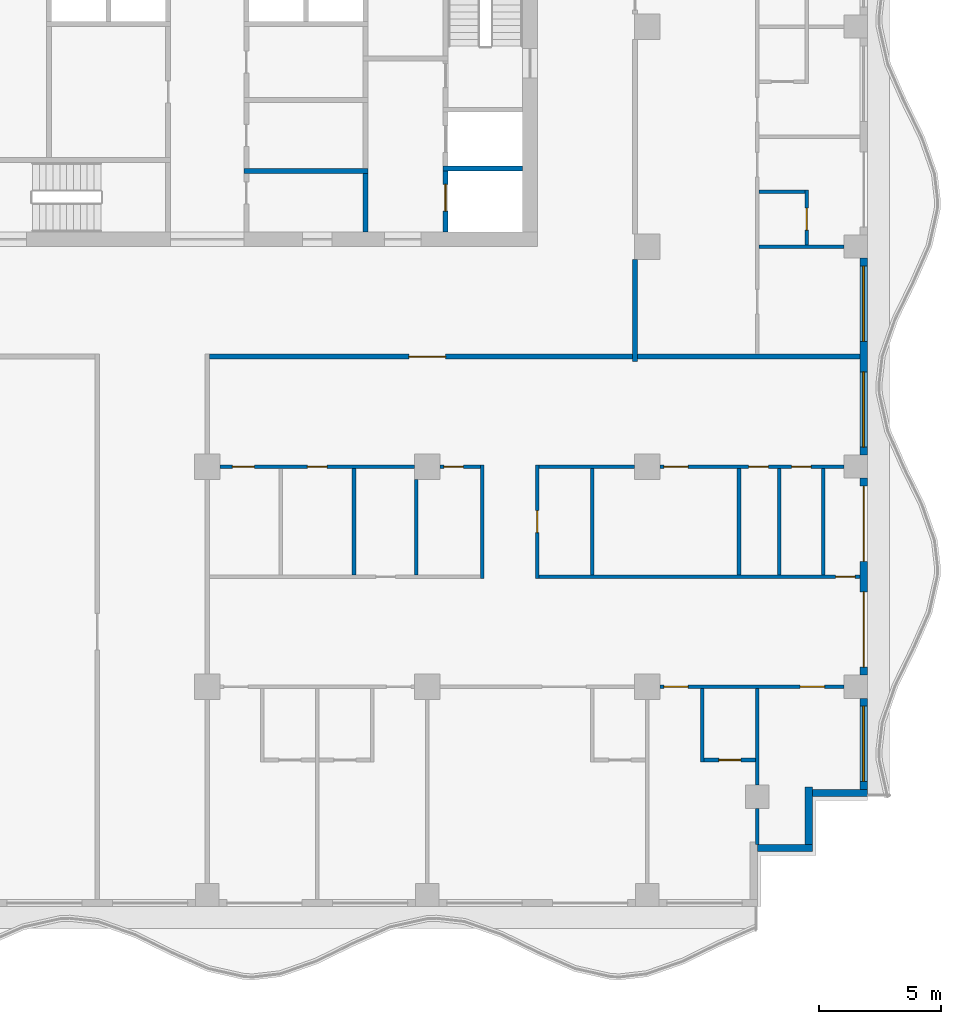
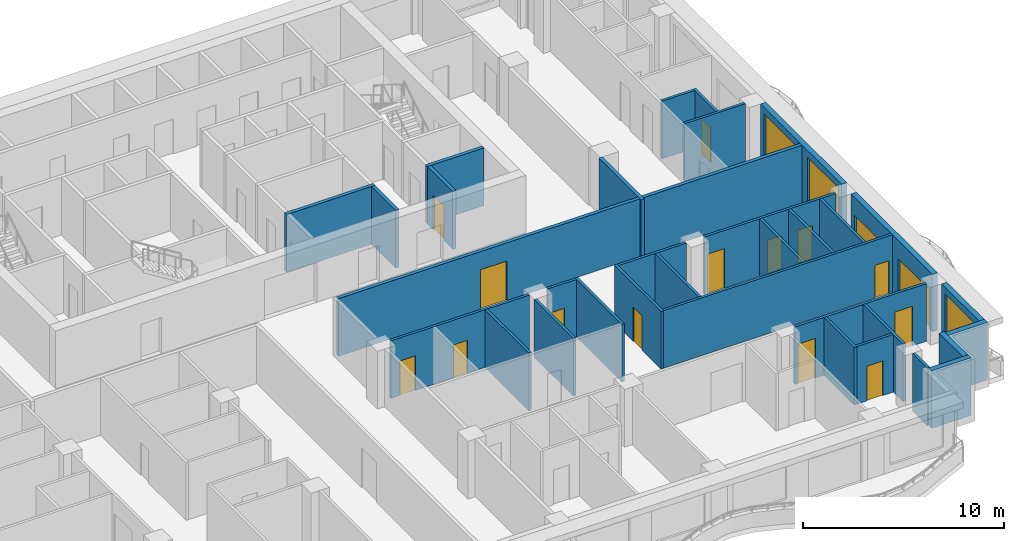
# One storey, part 4 of 11: 34 walls, 16 doors, 3 windows, 19 openings.
"""IFC4 building model written with IfcOpenShell, lengths in metres."""

from ifc_helpers import new_model, si_unit, direction, frame, frame_2d, origin, place, context, subcontext, project, spatial, rectangle, extrude, material, layer, layer_set, type_object, element, fill, save


model = new_model("IFC4")

# Units and contexts
model_context = context("Model", 3, precision=1e-05, world=origin(), true_north=direction((0.0, 1.0)))
body_context = subcontext(model_context, "Body", "Model", "MODEL_VIEW")
ifc_project = project(units=[si_unit("LENGTHUNIT", "METRE"), si_unit("AREAUNIT", "SQUARE_METRE"), si_unit("VOLUMEUNIT", "CUBIC_METRE"), si_unit("PLANEANGLEUNIT", "RADIAN"), si_unit("MASSUNIT", "GRAM", prefix="KILO")], contexts=[model_context])

# Site, building, storey
site_placement = place(None, origin())
site = spatial("IfcSite", under=ifc_project, at=site_placement, CompositionType="ELEMENT")
building_placement = place(site_placement, origin())
building = spatial("IfcBuilding", under=site, at=building_placement, Name="Orbiselva Terraces", CompositionType="ELEMENT")
storey_placement = place(building_placement, frame((0.0, 0.0, 230.0)))
storey = spatial("IfcBuildingStorey", under=building, at=storey_placement, Name="L58", CompositionType="ELEMENT", Elevation=230.0)

# Walls
ifc_material_1 = material(Name="Concrete C60/75", Category="concrete")
ifc_layer_1 = layer(ifc_material_1, 0.2)
ifc_layer_set_1 = layer_set([ifc_layer_1], Name="Concrete C60/75")
wall_type_1 = type_object("IfcWallType", Name="CORE-WALL-SHEAR-200", PredefinedType="SHEAR", material=ifc_layer_set_1)
wall_1_placement = place(storey_placement, frame((1.5, 7.6, 0.0), z_axis=(0.0, 0.0, 1.0), x_axis=(1.0, 0.0, 0.0)))
element("IfcWall", 1, at=wall_1_placement, inside=storey, type_object=wall_type_1, Name="L58 core wall 23", PredefinedType="SHEAR", context=body_context, shape_type="SweptSolid", body=[
    extrude(rectangle(XDim=5.075, YDim=0.2, at=frame_2d((2.5375, 0.0))), origin(), (0.0, 0.0, 1.0), 3.5),
])
wall_2_placement = place(storey_placement, frame((6.475, 5.1, 0.0), z_axis=(0.0, 0.0, 1.0), x_axis=(0.0, 1.0, 0.0)))
element("IfcWall", 2, at=wall_2_placement, inside=storey, type_object=wall_type_1, Name="L58 core wall 33", PredefinedType="SHEAR", context=body_context, shape_type="SweptSolid", body=[
    extrude(rectangle(XDim=2.4, YDim=0.2, at=frame_2d((1.2, 0.0))), origin(), (0.0, 0.0, 1.0), 3.5),
])

# Wall, opening, door
wall_3_placement = place(storey_placement, frame((9.75, 5.1, 0.0), z_axis=(0.0, 0.0, 1.0), x_axis=(0.0, 1.0, 0.0)))
wall_3 = element("IfcWall", 3, at=wall_3_placement, inside=storey, type_object=wall_type_1, Name="L58 core wall 40", PredefinedType="SHEAR", context=body_context, shape_type="SweptSolid", body=[
    extrude(rectangle(XDim=2.5, YDim=0.2, at=frame_2d((1.25, 0.0))), origin(), (0.0, 0.0, 1.0), 3.5),
])
opening_1_placement = place(wall_3_placement, frame((0.85, 0.0, 0.0)))
opening_1 = element("IfcOpeningElement", 4, at=opening_1_placement, cuts=wall_3, Name="Opening LD-FF1", PredefinedType="OPENING", context=body_context, shape_type="SweptSolid", body=[
    extrude(rectangle(XDim=1.1, YDim=2.1, at=frame_2d((0.55, 1.05))), frame((0.0, 0.11, 0.0), z_axis=(0.0, -1.0, 0.0), x_axis=(1.0, 0.0, 0.0)), (0.0, 0.0, 1.0), 0.22),
])
ifc_material_2 = material(Name="Stainless steel landing door", Category="steel")
door_type_1 = type_object("IfcDoorType", Name="LANDING DOOR 1100", OperationType="SLIDING_TO_LEFT", PredefinedType="DOOR", material=ifc_material_2)
door_1_placement = place(opening_1_placement, origin())
door_1 = element("IfcDoor", 5, at=door_1_placement, inside=storey, type_object=door_type_1, Name="L58 landing door FF1", OperationType="SLIDING_TO_RIGHT", OverallHeight=2.1, OverallWidth=1.1, PredefinedType="DOOR", context=body_context, shape_type="SweptSolid", body=[
    extrude(rectangle(XDim=1.1, YDim=2.1, at=frame_2d((0.55, 1.05))), frame((0.0, 0.025, 0.0), z_axis=(0.0, -1.0, 0.0), x_axis=(1.0, 0.0, 0.0)), (0.0, 0.0, 1.0), 0.05),
])
fill(opening_1, door_1)

# Walls
wall_4_placement = place(storey_placement, frame((9.65, 7.7, 0.0), z_axis=(0.0, 0.0, 1.0), x_axis=(1.0, 0.0, 0.0)))
element("IfcWall", 6, at=wall_4_placement, inside=storey, type_object=wall_type_1, Name="L58 core wall 41", PredefinedType="SHEAR", context=body_context, shape_type="SweptSolid", body=[
    extrude(rectangle(XDim=3.25, YDim=0.2, at=frame_2d((1.625, 0.0))), origin(), (0.0, 0.0, 1.0), 3.5),
])
ifc_material_3 = material(Name="Terracotta cladding on masonry backing", Category="masonry")
ifc_layer_2 = layer(ifc_material_3, 0.3)
ifc_layer_set_2 = layer_set([ifc_layer_2], Name="Terracotta cladding on masonry backing")
wall_type_2 = type_object("IfcWallType", Name="ENV-WALL-TERRACOTTA-300", PredefinedType="SOLIDWALL", material=ifc_layer_set_2)
wall_5_placement = place(storey_placement, frame((24.75, -20.1, 0.0), z_axis=(0.0, 0.0, 1.0), x_axis=(-1.0, 0.0, 0.0)))
element("IfcWall", 7, at=wall_5_placement, inside=storey, type_object=wall_type_2, Name="Facade wall L58 STEP", PredefinedType="SOLIDWALL", context=body_context, shape_type="SweptSolid", body=[
    extrude(rectangle(XDim=2.25, YDim=0.3, at=frame_2d((1.125, 0.0))), origin(), (0.0, 0.0, 1.0), 3.5),
])
wall_6_placement = place(storey_placement, frame((24.6, -17.6, 0.0), z_axis=(0.0, 0.0, 1.0), x_axis=(0.0, -1.0, 0.0)))
element("IfcWall", 8, at=wall_6_placement, inside=storey, type_object=wall_type_2, Name="Facade wall L58 STEP", PredefinedType="SOLIDWALL", context=body_context, shape_type="SweptSolid", body=[
    extrude(rectangle(XDim=2.35, YDim=0.3, at=frame_2d((1.175, 0.0))), origin(), (0.0, 0.0, 1.0), 3.5),
])
wall_7_placement = place(storey_placement, frame((27.0, -17.85, 0.0), z_axis=(0.0, 0.0, 1.0), x_axis=(-1.0, 0.0, 0.0)))
element("IfcWall", 9, at=wall_7_placement, inside=storey, type_object=wall_type_2, Name="Facade wall L58 STEP", PredefinedType="SOLIDWALL", context=body_context, shape_type="SweptSolid", body=[
    extrude(rectangle(XDim=2.25, YDim=0.3, at=frame_2d((1.125, 0.0))), origin(), (0.0, 0.0, 1.0), 3.5),
])

# Wall, opening, window
wall_8_placement = place(storey_placement, frame((26.85, -13.975, 0.0), z_axis=(0.0, 0.0, 1.0), x_axis=(0.0, -1.0, 0.0)))
wall_8 = element("IfcWall", 10, at=wall_8_placement, inside=storey, type_object=wall_type_2, Name="Facade wall L58 E", PredefinedType="SOLIDWALL", context=body_context, shape_type="SweptSolid", body=[
    extrude(rectangle(XDim=3.725, YDim=0.3, at=frame_2d((1.8625, 0.0))), origin(), (0.0, 0.0, 1.0), 3.5),
])
opening_2_placement = place(wall_8_placement, frame((0.325, 0.0, 0.45)))
opening_2 = element("IfcOpeningElement", 11, at=opening_2_placement, cuts=wall_8, Name="Opening WN15", PredefinedType="OPENING", context=body_context, shape_type="SweptSolid", body=[
    extrude(rectangle(XDim=3.075, YDim=2.65, at=frame_2d((1.5375, 1.325))), frame((0.0, 0.16, 0.0), z_axis=(0.0, -1.0, 0.0), x_axis=(1.0, 0.0, 0.0)), (0.0, 0.0, 1.0), 0.32),
])
ifc_material_4 = material(Name="Clear low-e glazing in aluminium frame", Category="aluminium")
window_type = type_object("IfcWindowType", Name="WINDOW 3075 X 2650 S450", PartitioningType="TRIPLE_PANEL_VERTICAL", PredefinedType="WINDOW", material=ifc_material_4)
window_1_placement = place(opening_2_placement, origin())
window_1 = element("IfcWindow", 12, at=window_1_placement, inside=storey, type_object=window_type, Name="Window L58 E", OverallHeight=2.65, OverallWidth=3.075, PartitioningType="SINGLE_PANEL", PredefinedType="WINDOW", context=body_context, shape_type="SweptSolid", body=[
    extrude(rectangle(XDim=3.075, YDim=2.65, at=frame_2d((1.5375, 1.325))), frame((0.0, 0.03, 0.0), z_axis=(0.0, -1.0, 0.0), x_axis=(1.0, 0.0, 0.0)), (0.0, 0.0, 1.0), 0.06),
])
fill(opening_2, window_1)

# Wall, openings, doors
wall_9_placement = place(storey_placement, frame((26.85, -4.975, 0.0), z_axis=(0.0, 0.0, 1.0), x_axis=(0.0, -1.0, 0.0)))
wall_9 = element("IfcWall", 13, at=wall_9_placement, inside=storey, type_object=wall_type_2, Name="Facade wall L58 E", PredefinedType="SOLIDWALL", context=body_context, shape_type="SweptSolid", body=[
    extrude(rectangle(XDim=8.05, YDim=0.3, at=frame_2d((4.025, 0.0))), origin(), (0.0, 0.0, 1.0), 3.5),
])
opening_3_placement = place(wall_9_placement, frame((4.65, 0.0, 0.0)))
opening_3 = element("IfcOpeningElement", 14, at=opening_3_placement, cuts=wall_9, Name="Opening Z4-E-E12", PredefinedType="OPENING", context=body_context, shape_type="SweptSolid", body=[
    extrude(rectangle(XDim=3.075, YDim=2.4, at=frame_2d((1.5375, 1.2))), frame((0.0, 0.16, 0.0), z_axis=(0.0, -1.0, 0.0), x_axis=(1.0, 0.0, 0.0)), (0.0, 0.0, 1.0), 0.32),
])
opening_4_placement = place(wall_9_placement, frame((0.325, 0.0, 0.0)))
opening_4 = element("IfcOpeningElement", 15, at=opening_4_placement, cuts=wall_9, Name="Opening Z4-E-E04", PredefinedType="OPENING", context=body_context, shape_type="SweptSolid", body=[
    extrude(rectangle(XDim=3.075, YDim=2.4, at=frame_2d((1.5375, 1.2))), frame((0.0, 0.16, 0.0), z_axis=(0.0, -1.0, 0.0), x_axis=(1.0, 0.0, 0.0)), (0.0, 0.0, 1.0), 0.32),
])
door_type_2 = type_object("IfcDoorType", Name="BALCONY DOOR 3075 X 2400", OperationType="DOUBLE_DOOR_SLIDING", PredefinedType="DOOR", material=ifc_material_4)
door_2_placement = place(opening_3_placement, origin())
door_2 = element("IfcDoor", 16, at=door_2_placement, inside=storey, type_object=door_type_2, Name="Z4-E-E12", OperationType="SINGLE_SWING_LEFT", OverallHeight=2.4, OverallWidth=3.075, PredefinedType="DOOR", context=body_context, shape_type="SweptSolid", body=[
    extrude(rectangle(XDim=3.075, YDim=2.4, at=frame_2d((1.5375, 1.2))), frame((0.0, 0.025, 0.0), z_axis=(0.0, -1.0, 0.0), x_axis=(1.0, 0.0, 0.0)), (0.0, 0.0, 1.0), 0.05),
])
fill(opening_3, door_2)
door_3_placement = place(opening_4_placement, origin())
door_3 = element("IfcDoor", 17, at=door_3_placement, inside=storey, type_object=door_type_2, Name="Z4-E-E04", OperationType="SINGLE_SWING_LEFT", OverallHeight=2.4, OverallWidth=3.075, PredefinedType="DOOR", context=body_context, shape_type="SweptSolid", body=[
    extrude(rectangle(XDim=3.075, YDim=2.4, at=frame_2d((1.5375, 1.2))), frame((0.0, 0.025, 0.0), z_axis=(0.0, -1.0, 0.0), x_axis=(1.0, 0.0, 0.0)), (0.0, 0.0, 1.0), 0.05),
])
fill(opening_4, door_3)

# Wall, openings, windows
wall_10_placement = place(storey_placement, frame((26.85, 4.025, 0.0), z_axis=(0.0, 0.0, 1.0), x_axis=(0.0, -1.0, 0.0)))
wall_10 = element("IfcWall", 18, at=wall_10_placement, inside=storey, type_object=wall_type_2, Name="Facade wall L58 E", PredefinedType="SOLIDWALL", context=body_context, shape_type="SweptSolid", body=[
    extrude(rectangle(XDim=8.05, YDim=0.3, at=frame_2d((4.025, 0.0))), origin(), (0.0, 0.0, 1.0), 3.5),
])
opening_5_placement = place(wall_10_placement, frame((4.65, 0.0, 0.45)))
opening_5 = element("IfcOpeningElement", 19, at=opening_5_placement, cuts=wall_10, Name="Opening WN15", PredefinedType="OPENING", context=body_context, shape_type="SweptSolid", body=[
    extrude(rectangle(XDim=3.075, YDim=2.65, at=frame_2d((1.5375, 1.325))), frame((0.0, 0.16, 0.0), z_axis=(0.0, -1.0, 0.0), x_axis=(1.0, 0.0, 0.0)), (0.0, 0.0, 1.0), 0.32),
])
opening_6_placement = place(wall_10_placement, frame((0.325, 0.0, 0.45)))
opening_6 = element("IfcOpeningElement", 20, at=opening_6_placement, cuts=wall_10, Name="Opening WN15", PredefinedType="OPENING", context=body_context, shape_type="SweptSolid", body=[
    extrude(rectangle(XDim=3.075, YDim=2.65, at=frame_2d((1.5375, 1.325))), frame((0.0, 0.16, 0.0), z_axis=(0.0, -1.0, 0.0), x_axis=(1.0, 0.0, 0.0)), (0.0, 0.0, 1.0), 0.32),
])
window_2_placement = place(opening_5_placement, origin())
window_2 = element("IfcWindow", 21, at=window_2_placement, inside=storey, type_object=window_type, Name="Window L58 E", OverallHeight=2.65, OverallWidth=3.075, PartitioningType="SINGLE_PANEL", PredefinedType="WINDOW", context=body_context, shape_type="SweptSolid", body=[
    extrude(rectangle(XDim=3.075, YDim=2.65, at=frame_2d((1.5375, 1.325))), frame((0.0, 0.03, 0.0), z_axis=(0.0, -1.0, 0.0), x_axis=(1.0, 0.0, 0.0)), (0.0, 0.0, 1.0), 0.06),
])
fill(opening_5, window_2)
window_3_placement = place(opening_6_placement, origin())
window_3 = element("IfcWindow", 22, at=window_3_placement, inside=storey, type_object=window_type, Name="Window L58 E", OverallHeight=2.65, OverallWidth=3.075, PartitioningType="SINGLE_PANEL", PredefinedType="WINDOW", context=body_context, shape_type="SweptSolid", body=[
    extrude(rectangle(XDim=3.075, YDim=2.65, at=frame_2d((1.5375, 1.325))), frame((0.0, 0.03, 0.0), z_axis=(0.0, -1.0, 0.0), x_axis=(1.0, 0.0, 0.0)), (0.0, 0.0, 1.0), 0.06),
])
fill(opening_6, window_3)

# Wall, opening, door
ifc_material_5 = material(Name="Plasterboard on steel stud partition", Category="steel")
ifc_layer_3 = layer(ifc_material_5, 0.2)
ifc_layer_set_3 = layer_set([ifc_layer_3], Name="Plasterboard on steel stud partition")
wall_type_3 = type_object("IfcWallType", Name="UNIT-ENTRANCE-WALL-200", PredefinedType="PARTITIONING", material=ifc_layer_set_3)
wall_11_placement = place(storey_placement, frame((17.4, 0.0, 0.0), z_axis=(0.0, 0.0, 1.0), x_axis=(-1.0, 0.0, 0.0)))
wall_11 = element("IfcWall", 23, at=wall_11_placement, inside=storey, type_object=wall_type_3, Name="PARTITION L58-029", PredefinedType="PARTITIONING", context=body_context, shape_type="SweptSolid", body=[
    extrude(rectangle(XDim=17.3, YDim=0.2, at=frame_2d((8.65, 0.0))), origin(), (0.0, 0.0, 1.0), 3.5),
])
opening_7_placement = place(wall_11_placement, frame((7.65, 0.0, 0.0)))
opening_7 = element("IfcOpeningElement", 24, at=opening_7_placement, cuts=wall_11, Name="Opening Z4-E-33", PredefinedType="OPENING", context=body_context, shape_type="SweptSolid", body=[
    extrude(rectangle(XDim=1.5, YDim=2.4, at=frame_2d((0.75, 1.2))), frame((0.0, 0.11, 0.0), z_axis=(0.0, -1.0, 0.0), x_axis=(1.0, 0.0, 0.0)), (0.0, 0.0, 1.0), 0.22),
])
ifc_material_6 = material(Name="Painted timber door leaf", Category="wood")
door_type_3 = type_object("IfcDoorType", Name="ENTRANCE DOUBLE DOOR 1500", OperationType="NOTDEFINED", PredefinedType="DOOR", material=ifc_material_6)
door_4_placement = place(opening_7_placement, origin())
door_4 = element("IfcDoor", 25, at=door_4_placement, inside=storey, type_object=door_type_3, Name="Z4-E-33", OperationType="DOUBLE_DOOR_SINGLE_SWING", OverallHeight=2.4, OverallWidth=1.5, PredefinedType="DOOR", context=body_context, shape_type="SweptSolid", body=[
    extrude(rectangle(XDim=1.5, YDim=2.4, at=frame_2d((0.75, 1.2))), frame((0.0, 0.025, 0.0), z_axis=(0.0, -1.0, 0.0), x_axis=(1.0, 0.0, 0.0)), (0.0, 0.0, 1.0), 0.05),
])
fill(opening_7, door_4)

# Wall
wall_12_placement = place(storey_placement, frame((17.5, -0.2, 0.0), z_axis=(0.0, 0.0, 1.0), x_axis=(0.0, 1.0, 0.0)))
element("IfcWall", 26, at=wall_12_placement, inside=storey, type_object=wall_type_3, Name="PARTITION L58-081", PredefinedType="PARTITIONING", context=body_context, shape_type="SweptSolid", body=[
    extrude(rectangle(XDim=4.175, YDim=0.2, at=frame_2d((2.0875, 0.0))), origin(), (0.0, 0.0, 1.0), 3.5),
])

# Wall, opening, door
ifc_layer_4 = layer(ifc_material_5, 0.15)
ifc_layer_set_4 = layer_set([ifc_layer_4], Name="Plasterboard on steel stud partition")
wall_type_4 = type_object("IfcWallType", Name="UNIT-PARTITION-150", PredefinedType="PARTITIONING", material=ifc_layer_set_4)
wall_13_placement = place(storey_placement, frame((20.325, -16.5, 0.0), z_axis=(0.0, 0.0, 1.0), x_axis=(1.0, 0.0, 0.0)))
wall_13 = element("IfcWall", 27, at=wall_13_placement, inside=storey, type_object=wall_type_4, Name="PARTITION L58-008", PredefinedType="PARTITIONING", context=body_context, shape_type="SweptSolid", body=[
    extrude(rectangle(XDim=2.1, YDim=0.15, at=frame_2d((1.05, 0.0))), origin(), (0.0, 0.0, 1.0), 3.5),
])
opening_8_placement = place(wall_13_placement, frame((0.6, 0.0, 0.0)))
opening_8 = element("IfcOpeningElement", 28, at=opening_8_placement, cuts=wall_13, Name="Opening Z4-E-45", PredefinedType="OPENING", context=body_context, shape_type="SweptSolid", body=[
    extrude(rectangle(XDim=0.9, YDim=2.1, at=frame_2d((0.45, 1.05))), frame((0.0, 0.085, 0.0), z_axis=(0.0, -1.0, 0.0), x_axis=(1.0, 0.0, 0.0)), (0.0, 0.0, 1.0), 0.17),
])
door_type_4 = type_object("IfcDoorType", Name="BATH DOOR 900", OperationType="NOTDEFINED", PredefinedType="DOOR", material=ifc_material_6)
door_5_placement = place(opening_8_placement, origin())
door_5 = element("IfcDoor", 29, at=door_5_placement, inside=storey, type_object=door_type_4, Name="Z4-E-45", OperationType="SINGLE_SWING_LEFT", OverallHeight=2.1, OverallWidth=0.9, PredefinedType="DOOR", context=body_context, shape_type="SweptSolid", body=[
    extrude(rectangle(XDim=0.9, YDim=2.1, at=frame_2d((0.45, 1.05))), frame((0.0, 0.025, 0.0), z_axis=(0.0, -1.0, 0.0), x_axis=(1.0, 0.0, 0.0)), (0.0, 0.0, 1.0), 0.05),
])
fill(opening_8, door_5)

# Wall, openings, doors
wall_14_placement = place(storey_placement, frame((26.05, -13.5, 0.0), z_axis=(0.0, 0.0, 1.0), x_axis=(-1.0, 0.0, 0.0)))
wall_14 = element("IfcWall", 30, at=wall_14_placement, inside=storey, type_object=wall_type_4, Name="PARTITION L58-012", PredefinedType="PARTITIONING", context=body_context, shape_type="SweptSolid", body=[
    extrude(rectangle(XDim=7.525, YDim=0.15, at=frame_2d((3.7625, 0.0))), origin(), (0.0, 0.0, 1.0), 3.5),
])
opening_9_placement = place(wall_14_placement, frame((0.8, 0.0, 0.0)))
opening_9 = element("IfcOpeningElement", 31, at=opening_9_placement, cuts=wall_14, Name="Opening Z4-E-43", PredefinedType="OPENING", context=body_context, shape_type="SweptSolid", body=[
    extrude(rectangle(XDim=1.0, YDim=2.4, at=frame_2d((0.5, 1.2))), frame((0.0, 0.085, 0.0), z_axis=(0.0, -1.0, 0.0), x_axis=(1.0, 0.0, 0.0)), (0.0, 0.0, 1.0), 0.17),
])
opening_10_placement = place(wall_14_placement, frame((6.375, 0.0, 0.0)))
opening_10 = element("IfcOpeningElement", 32, at=opening_10_placement, cuts=wall_14, Name="Opening Z4-E-44", PredefinedType="OPENING", context=body_context, shape_type="SweptSolid", body=[
    extrude(rectangle(XDim=1.0, YDim=2.4, at=frame_2d((0.5, 1.2))), frame((0.0, 0.085, 0.0), z_axis=(0.0, -1.0, 0.0), x_axis=(1.0, 0.0, 0.0)), (0.0, 0.0, 1.0), 0.17),
])
door_type_5 = type_object("IfcDoorType", Name="ROOM DOOR 1000", OperationType="NOTDEFINED", PredefinedType="DOOR", material=ifc_material_6)
door_6_placement = place(opening_9_placement, origin())
door_6 = element("IfcDoor", 33, at=door_6_placement, inside=storey, type_object=door_type_5, Name="Z4-E-43", OperationType="SINGLE_SWING_LEFT", OverallHeight=2.4, OverallWidth=1.0, PredefinedType="DOOR", context=body_context, shape_type="SweptSolid", body=[
    extrude(rectangle(XDim=1.0, YDim=2.4, at=frame_2d((0.5, 1.2))), frame((0.0, 0.025, 0.0), z_axis=(0.0, -1.0, 0.0), x_axis=(1.0, 0.0, 0.0)), (0.0, 0.0, 1.0), 0.05),
])
fill(opening_9, door_6)
door_7_placement = place(opening_10_placement, origin())
door_7 = element("IfcDoor", 34, at=door_7_placement, inside=storey, type_object=door_type_5, Name="Z4-E-44", OperationType="SINGLE_SWING_RIGHT", OverallHeight=2.4, OverallWidth=1.0, PredefinedType="DOOR", context=body_context, shape_type="SweptSolid", body=[
    extrude(rectangle(XDim=1.0, YDim=2.4, at=frame_2d((0.5, 1.2))), frame((0.0, 0.025, 0.0), z_axis=(0.0, -1.0, 0.0), x_axis=(1.0, 0.0, 0.0)), (0.0, 0.0, 1.0), 0.05),
])
fill(opening_10, door_7)

# Wall, opening, door
wall_15_placement = place(storey_placement, frame((13.575, -9.0, 0.0), z_axis=(0.0, 0.0, 1.0), x_axis=(1.0, 0.0, 0.0)))
wall_15 = element("IfcWall", 35, at=wall_15_placement, inside=storey, type_object=wall_type_4, Name="PARTITION L58-017", PredefinedType="PARTITIONING", context=body_context, shape_type="SweptSolid", body=[
    extrude(rectangle(XDim=13.125, YDim=0.15, at=frame_2d((6.5625, 0.0))), origin(), (0.0, 0.0, 1.0), 3.5),
])
opening_11_placement = place(wall_15_placement, frame((12.125, 0.0, 0.0)))
opening_11 = element("IfcOpeningElement", 36, at=opening_11_placement, cuts=wall_15, Name="Opening Z4-E-34", PredefinedType="OPENING", context=body_context, shape_type="SweptSolid", body=[
    extrude(rectangle(XDim=0.8, YDim=2.0, at=frame_2d((0.4, 1.0))), frame((0.0, 0.085, 0.0), z_axis=(0.0, -1.0, 0.0), x_axis=(1.0, 0.0, 0.0)), (0.0, 0.0, 1.0), 0.17),
])
door_type_6 = type_object("IfcDoorType", Name="STORE DOOR 800", OperationType="NOTDEFINED", PredefinedType="DOOR", material=ifc_material_6)
door_8_placement = place(opening_11_placement, origin())
door_8 = element("IfcDoor", 37, at=door_8_placement, inside=storey, type_object=door_type_6, Name="Z4-E-34", OperationType="SINGLE_SWING_RIGHT", OverallHeight=2.0, OverallWidth=0.8, PredefinedType="DOOR", context=body_context, shape_type="SweptSolid", body=[
    extrude(rectangle(XDim=0.8, YDim=2.0, at=frame_2d((0.4, 1.0))), frame((0.0, 0.025, 0.0), z_axis=(0.0, -1.0, 0.0), x_axis=(1.0, 0.0, 0.0)), (0.0, 0.0, 1.0), 0.05),
])
fill(opening_11, door_8)

# Wall, openings, doors
wall_16_placement = place(storey_placement, frame((8.475, -4.5, 0.0), z_axis=(0.0, 0.0, 1.0), x_axis=(-1.0, 0.0, 0.0)))
wall_16 = element("IfcWall", 38, at=wall_16_placement, inside=storey, type_object=wall_type_4, Name="PARTITION L58-022", PredefinedType="PARTITIONING", context=body_context, shape_type="SweptSolid", body=[
    extrude(rectangle(XDim=7.95, YDim=0.15, at=frame_2d((3.975, 0.0))), origin(), (0.0, 0.0, 1.0), 3.5),
])
opening_12_placement = place(wall_16_placement, frame((3.575, 0.0, 0.0)))
opening_12 = element("IfcOpeningElement", 39, at=opening_12_placement, cuts=wall_16, Name="Opening Z4-E-41", PredefinedType="OPENING", context=body_context, shape_type="SweptSolid", body=[
    extrude(rectangle(XDim=0.8, YDim=2.0, at=frame_2d((0.4, 1.0))), frame((0.0, 0.085, 0.0), z_axis=(0.0, -1.0, 0.0), x_axis=(1.0, 0.0, 0.0)), (0.0, 0.0, 1.0), 0.17),
])
opening_13_placement = place(wall_16_placement, frame((6.55, 0.0, 0.0)))
opening_13 = element("IfcOpeningElement", 40, at=opening_13_placement, cuts=wall_16, Name="Opening Z4-E-42", PredefinedType="OPENING", context=body_context, shape_type="SweptSolid", body=[
    extrude(rectangle(XDim=0.9, YDim=2.1, at=frame_2d((0.45, 1.05))), frame((0.0, 0.085, 0.0), z_axis=(0.0, -1.0, 0.0), x_axis=(1.0, 0.0, 0.0)), (0.0, 0.0, 1.0), 0.17),
])
door_type_7 = type_object("IfcDoorType", Name="SERVICE DOOR 900", OperationType="NOTDEFINED", PredefinedType="DOOR", material=ifc_material_6)
door_9_placement = place(opening_13_placement, origin())
door_9 = element("IfcDoor", 41, at=door_9_placement, inside=storey, type_object=door_type_7, Name="Z4-E-42", OperationType="SINGLE_SWING_RIGHT", OverallHeight=2.1, OverallWidth=0.9, PredefinedType="DOOR", context=body_context, shape_type="SweptSolid", body=[
    extrude(rectangle(XDim=0.9, YDim=2.1, at=frame_2d((0.45, 1.05))), frame((0.0, 0.025, 0.0), z_axis=(0.0, -1.0, 0.0), x_axis=(1.0, 0.0, 0.0)), (0.0, 0.0, 1.0), 0.05),
])
fill(opening_13, door_9)
door_10_placement = place(opening_12_placement, origin())
door_10 = element("IfcDoor", 42, at=door_10_placement, inside=storey, type_object=door_type_6, Name="Z4-E-41", OperationType="SINGLE_SWING_LEFT", OverallHeight=2.0, OverallWidth=0.8, PredefinedType="DOOR", context=body_context, shape_type="SweptSolid", body=[
    extrude(rectangle(XDim=0.8, YDim=2.0, at=frame_2d((0.4, 1.0))), frame((0.0, 0.025, 0.0), z_axis=(0.0, -1.0, 0.0), x_axis=(1.0, 0.0, 0.0)), (0.0, 0.0, 1.0), 0.05),
])
fill(opening_12, door_10)

# Wall, opening, door
wall_17_placement = place(storey_placement, frame((11.175, -4.5, 0.0), z_axis=(0.0, 0.0, 1.0), x_axis=(-1.0, 0.0, 0.0)))
wall_17 = element("IfcWall", 43, at=wall_17_placement, inside=storey, type_object=wall_type_4, Name="PARTITION L58-023", PredefinedType="PARTITIONING", context=body_context, shape_type="SweptSolid", body=[
    extrude(rectangle(XDim=1.65, YDim=0.15, at=frame_2d((0.825, 0.0))), origin(), (0.0, 0.0, 1.0), 3.5),
])
opening_14_placement = place(wall_17_placement, frame((0.7, 0.0, 0.0)))
opening_14 = element("IfcOpeningElement", 44, at=opening_14_placement, cuts=wall_17, Name="Opening Z4-E-39", PredefinedType="OPENING", context=body_context, shape_type="SweptSolid", body=[
    extrude(rectangle(XDim=0.8, YDim=2.0, at=frame_2d((0.4, 1.0))), frame((0.0, 0.085, 0.0), z_axis=(0.0, -1.0, 0.0), x_axis=(1.0, 0.0, 0.0)), (0.0, 0.0, 1.0), 0.17),
])
door_11_placement = place(opening_14_placement, origin())
door_11 = element("IfcDoor", 45, at=door_11_placement, inside=storey, type_object=door_type_6, Name="Z4-E-39", OperationType="SINGLE_SWING_RIGHT", OverallHeight=2.0, OverallWidth=0.8, PredefinedType="DOOR", context=body_context, shape_type="SweptSolid", body=[
    extrude(rectangle(XDim=0.8, YDim=2.0, at=frame_2d((0.4, 1.0))), frame((0.0, 0.025, 0.0), z_axis=(0.0, -1.0, 0.0), x_axis=(1.0, 0.0, 0.0)), (0.0, 0.0, 1.0), 0.05),
])
fill(opening_14, door_11)

# Wall
wall_18_placement = place(storey_placement, frame((13.575, -4.5, 0.0), z_axis=(0.0, 0.0, 1.0), x_axis=(1.0, 0.0, 0.0)))
element("IfcWall", 46, at=wall_18_placement, inside=storey, type_object=wall_type_4, Name="PARTITION L58-024", PredefinedType="PARTITIONING", context=body_context, shape_type="SweptSolid", body=[
    extrude(rectangle(XDim=3.9, YDim=0.15, at=frame_2d((1.95, 0.0))), origin(), (0.0, 0.0, 1.0), 3.5),
])

# Wall, openings, doors
wall_19_placement = place(storey_placement, frame((26.05, -4.5, 0.0), z_axis=(0.0, 0.0, 1.0), x_axis=(-1.0, 0.0, 0.0)))
wall_19 = element("IfcWall", 47, at=wall_19_placement, inside=storey, type_object=wall_type_4, Name="PARTITION L58-025", PredefinedType="PARTITIONING", context=body_context, shape_type="SweptSolid", body=[
    extrude(rectangle(XDim=7.525, YDim=0.15, at=frame_2d((3.7625, 0.0))), origin(), (0.0, 0.0, 1.0), 3.5),
])
opening_15_placement = place(wall_19_placement, frame((1.35, 0.0, 0.0)))
opening_15 = element("IfcOpeningElement", 48, at=opening_15_placement, cuts=wall_19, Name="Opening Z4-E-35", PredefinedType="OPENING", context=body_context, shape_type="SweptSolid", body=[
    extrude(rectangle(XDim=0.8, YDim=2.0, at=frame_2d((0.4, 1.0))), frame((0.0, 0.085, 0.0), z_axis=(0.0, -1.0, 0.0), x_axis=(1.0, 0.0, 0.0)), (0.0, 0.0, 1.0), 0.17),
])
opening_16_placement = place(wall_19_placement, frame((3.1, 0.0, 0.0)))
opening_16 = element("IfcOpeningElement", 49, at=opening_16_placement, cuts=wall_19, Name="Opening Z4-E-36", PredefinedType="OPENING", context=body_context, shape_type="SweptSolid", body=[
    extrude(rectangle(XDim=0.8, YDim=2.0, at=frame_2d((0.4, 1.0))), frame((0.0, 0.085, 0.0), z_axis=(0.0, -1.0, 0.0), x_axis=(1.0, 0.0, 0.0)), (0.0, 0.0, 1.0), 0.17),
])
opening_17_placement = place(wall_19_placement, frame((6.375, 0.0, 0.0)))
opening_17 = element("IfcOpeningElement", 50, at=opening_17_placement, cuts=wall_19, Name="Opening Z4-E-37", PredefinedType="OPENING", context=body_context, shape_type="SweptSolid", body=[
    extrude(rectangle(XDim=1.0, YDim=2.4, at=frame_2d((0.5, 1.2))), frame((0.0, 0.085, 0.0), z_axis=(0.0, -1.0, 0.0), x_axis=(1.0, 0.0, 0.0)), (0.0, 0.0, 1.0), 0.17),
])
door_12_placement = place(opening_17_placement, origin())
door_12 = element("IfcDoor", 51, at=door_12_placement, inside=storey, type_object=door_type_5, Name="Z4-E-37", OperationType="SINGLE_SWING_RIGHT", OverallHeight=2.4, OverallWidth=1.0, PredefinedType="DOOR", context=body_context, shape_type="SweptSolid", body=[
    extrude(rectangle(XDim=1.0, YDim=2.4, at=frame_2d((0.5, 1.2))), frame((0.0, 0.025, 0.0), z_axis=(0.0, -1.0, 0.0), x_axis=(1.0, 0.0, 0.0)), (0.0, 0.0, 1.0), 0.05),
])
fill(opening_17, door_12)
door_13_placement = place(opening_15_placement, origin())
door_13 = element("IfcDoor", 52, at=door_13_placement, inside=storey, type_object=door_type_6, Name="Z4-E-35", OperationType="SINGLE_SWING_LEFT", OverallHeight=2.0, OverallWidth=0.8, PredefinedType="DOOR", context=body_context, shape_type="SweptSolid", body=[
    extrude(rectangle(XDim=0.8, YDim=2.0, at=frame_2d((0.4, 1.0))), frame((0.0, 0.025, 0.0), z_axis=(0.0, -1.0, 0.0), x_axis=(1.0, 0.0, 0.0)), (0.0, 0.0, 1.0), 0.05),
])
fill(opening_15, door_13)
door_14_placement = place(opening_16_placement, origin())
door_14 = element("IfcDoor", 53, at=door_14_placement, inside=storey, type_object=door_type_6, Name="Z4-E-36", OperationType="SINGLE_SWING_LEFT", OverallHeight=2.0, OverallWidth=0.8, PredefinedType="DOOR", context=body_context, shape_type="SweptSolid", body=[
    extrude(rectangle(XDim=0.8, YDim=2.0, at=frame_2d((0.4, 1.0))), frame((0.0, 0.025, 0.0), z_axis=(0.0, -1.0, 0.0), x_axis=(1.0, 0.0, 0.0)), (0.0, 0.0, 1.0), 0.05),
])
fill(opening_16, door_14)

# Walls
wall_20_placement = place(storey_placement, frame((22.575, 4.5, 0.0), z_axis=(0.0, 0.0, 1.0), x_axis=(1.0, 0.0, 0.0)))
element("IfcWall", 54, at=wall_20_placement, inside=storey, type_object=wall_type_4, Name="PARTITION L58-033", PredefinedType="PARTITIONING", context=body_context, shape_type="SweptSolid", body=[
    extrude(rectangle(XDim=3.475, YDim=0.15, at=frame_2d((1.7375, 0.0))), origin(), (0.0, 0.0, 1.0), 3.5),
])
wall_21_placement = place(storey_placement, frame((22.575, 6.75, 0.0), z_axis=(0.0, 0.0, 1.0), x_axis=(1.0, 0.0, 0.0)))
element("IfcWall", 55, at=wall_21_placement, inside=storey, type_object=wall_type_4, Name="PARTITION L58-035", PredefinedType="PARTITIONING", context=body_context, shape_type="SweptSolid", body=[
    extrude(rectangle(XDim=1.875, YDim=0.15, at=frame_2d((0.9375, 0.0))), origin(), (0.0, 0.0, 1.0), 3.5),
])
wall_22_placement = place(storey_placement, frame((6.0, -8.925, 0.0), z_axis=(0.0, 0.0, 1.0), x_axis=(0.0, 1.0, 0.0)))
element("IfcWall", 56, at=wall_22_placement, inside=storey, type_object=wall_type_4, Name="PARTITION L58-073", PredefinedType="PARTITIONING", context=body_context, shape_type="SweptSolid", body=[
    extrude(rectangle(XDim=4.35, YDim=0.15, at=frame_2d((2.175, 0.0))), origin(), (0.0, 0.0, 1.0), 3.5),
])
wall_23_placement = place(storey_placement, frame((8.55, -8.925, 0.0), z_axis=(0.0, 0.0, 1.0), x_axis=(0.0, 1.0, 0.0)))
element("IfcWall", 57, at=wall_23_placement, inside=storey, type_object=wall_type_4, Name="PARTITION L58-075", PredefinedType="PARTITIONING", context=body_context, shape_type="SweptSolid", body=[
    extrude(rectangle(XDim=3.9, YDim=0.15, at=frame_2d((1.95, 0.0))), origin(), (0.0, 0.0, 1.0), 3.5),
])
wall_24_placement = place(storey_placement, frame((11.25, -9.075, 0.0), z_axis=(0.0, 0.0, 1.0), x_axis=(0.0, 1.0, 0.0)))
element("IfcWall", 58, at=wall_24_placement, inside=storey, type_object=wall_type_4, Name="PARTITION L58-077", PredefinedType="PARTITIONING", context=body_context, shape_type="SweptSolid", body=[
    extrude(rectangle(XDim=4.65, YDim=0.15, at=frame_2d((2.325, 0.0))), origin(), (0.0, 0.0, 1.0), 3.5),
])

# Wall, opening, door
wall_25_placement = place(storey_placement, frame((13.5, -4.425, 0.0), z_axis=(0.0, 0.0, 1.0), x_axis=(0.0, -1.0, 0.0)))
wall_25 = element("IfcWall", 59, at=wall_25_placement, inside=storey, type_object=wall_type_4, Name="PARTITION L58-078", PredefinedType="PARTITIONING", context=body_context, shape_type="SweptSolid", body=[
    extrude(rectangle(XDim=4.65, YDim=0.15, at=frame_2d((2.325, 0.0))), origin(), (0.0, 0.0, 1.0), 3.5),
])
opening_18_placement = place(wall_25_placement, frame((1.875, 0.0, 0.0)))
opening_18 = element("IfcOpeningElement", 60, at=opening_18_placement, cuts=wall_25, Name="Opening Z4-E-38", PredefinedType="OPENING", context=body_context, shape_type="SweptSolid", body=[
    extrude(rectangle(XDim=0.9, YDim=2.1, at=frame_2d((0.45, 1.05))), frame((0.0, 0.085, 0.0), z_axis=(0.0, -1.0, 0.0), x_axis=(1.0, 0.0, 0.0)), (0.0, 0.0, 1.0), 0.17),
])
door_15_placement = place(opening_18_placement, origin())
door_15 = element("IfcDoor", 61, at=door_15_placement, inside=storey, type_object=door_type_4, Name="Z4-E-38", OperationType="SINGLE_SWING_RIGHT", OverallHeight=2.1, OverallWidth=0.9, PredefinedType="DOOR", context=body_context, shape_type="SweptSolid", body=[
    extrude(rectangle(XDim=0.9, YDim=2.1, at=frame_2d((0.45, 1.05))), frame((0.0, 0.025, 0.0), z_axis=(0.0, -1.0, 0.0), x_axis=(1.0, 0.0, 0.0)), (0.0, 0.0, 1.0), 0.05),
])
fill(opening_18, door_15)

# Walls
wall_26_placement = place(storey_placement, frame((15.75, -8.925, 0.0), z_axis=(0.0, 0.0, 1.0), x_axis=(0.0, 1.0, 0.0)))
element("IfcWall", 62, at=wall_26_placement, inside=storey, type_object=wall_type_4, Name="PARTITION L58-080", PredefinedType="PARTITIONING", context=body_context, shape_type="SweptSolid", body=[
    extrude(rectangle(XDim=4.35, YDim=0.15, at=frame_2d((2.175, 0.0))), origin(), (0.0, 0.0, 1.0), 3.5),
])
wall_27_placement = place(storey_placement, frame((20.25, -16.575, 0.0), z_axis=(0.0, 0.0, 1.0), x_axis=(0.0, 1.0, 0.0)))
element("IfcWall", 63, at=wall_27_placement, inside=storey, type_object=wall_type_4, Name="PARTITION L58-086", PredefinedType="PARTITIONING", context=body_context, shape_type="SweptSolid", body=[
    extrude(rectangle(XDim=3.0, YDim=0.15, at=frame_2d((1.5, 0.0))), origin(), (0.0, 0.0, 1.0), 3.5),
])
wall_28_placement = place(storey_placement, frame((21.75, -8.925, 0.0), z_axis=(0.0, 0.0, 1.0), x_axis=(0.0, 1.0, 0.0)))
element("IfcWall", 64, at=wall_28_placement, inside=storey, type_object=wall_type_4, Name="PARTITION L58-087", PredefinedType="PARTITIONING", context=body_context, shape_type="SweptSolid", body=[
    extrude(rectangle(XDim=4.35, YDim=0.15, at=frame_2d((2.175, 0.0))), origin(), (0.0, 0.0, 1.0), 3.5),
])
wall_29_placement = place(storey_placement, frame((22.5, -19.95, 0.0), z_axis=(0.0, 0.0, 1.0), x_axis=(0.0, 1.0, 0.0)))
element("IfcWall", 65, at=wall_29_placement, inside=storey, type_object=wall_type_4, Name="PARTITION L58-088", PredefinedType="PARTITIONING", context=body_context, shape_type="SweptSolid", body=[
    extrude(rectangle(XDim=1.475, YDim=0.15, at=frame_2d((0.7375, 0.0))), origin(), (0.0, 0.0, 1.0), 3.5),
])
wall_30_placement = place(storey_placement, frame((22.5, -17.525, 0.0), z_axis=(0.0, 0.0, 1.0), x_axis=(0.0, 1.0, 0.0)))
element("IfcWall", 66, at=wall_30_placement, inside=storey, type_object=wall_type_4, Name="PARTITION L58-089", PredefinedType="PARTITIONING", context=body_context, shape_type="SweptSolid", body=[
    extrude(rectangle(XDim=3.95, YDim=0.15, at=frame_2d((1.975, 0.0))), origin(), (0.0, 0.0, 1.0), 3.5),
])
wall_31_placement = place(storey_placement, frame((23.4, -8.925, 0.0), z_axis=(0.0, 0.0, 1.0), x_axis=(0.0, 1.0, 0.0)))
element("IfcWall", 67, at=wall_31_placement, inside=storey, type_object=wall_type_4, Name="PARTITION L58-092", PredefinedType="PARTITIONING", context=body_context, shape_type="SweptSolid", body=[
    extrude(rectangle(XDim=4.35, YDim=0.15, at=frame_2d((2.175, 0.0))), origin(), (0.0, 0.0, 1.0), 3.5),
])

# Wall, opening, door
wall_32_placement = place(storey_placement, frame((24.525, 4.575, 0.0), z_axis=(0.0, 0.0, 1.0), x_axis=(0.0, 1.0, 0.0)))
wall_32 = element("IfcWall", 68, at=wall_32_placement, inside=storey, type_object=wall_type_4, Name="PARTITION L58-093", PredefinedType="PARTITIONING", context=body_context, shape_type="SweptSolid", body=[
    extrude(rectangle(XDim=2.25, YDim=0.15, at=frame_2d((1.125, 0.0))), origin(), (0.0, 0.0, 1.0), 3.5),
])
opening_19_placement = place(wall_32_placement, frame((0.6, 0.0, 0.0)))
opening_19 = element("IfcOpeningElement", 69, at=opening_19_placement, cuts=wall_32, Name="Opening Z4-E-13", PredefinedType="OPENING", context=body_context, shape_type="SweptSolid", body=[
    extrude(rectangle(XDim=0.9, YDim=2.1, at=frame_2d((0.45, 1.05))), frame((0.0, 0.085, 0.0), z_axis=(0.0, -1.0, 0.0), x_axis=(1.0, 0.0, 0.0)), (0.0, 0.0, 1.0), 0.17),
])
door_16_placement = place(opening_19_placement, origin())
door_16 = element("IfcDoor", 70, at=door_16_placement, inside=storey, type_object=door_type_4, Name="Z4-E-13", OperationType="SINGLE_SWING_LEFT", OverallHeight=2.1, OverallWidth=0.9, PredefinedType="DOOR", context=body_context, shape_type="SweptSolid", body=[
    extrude(rectangle(XDim=0.9, YDim=2.1, at=frame_2d((0.45, 1.05))), frame((0.0, 0.025, 0.0), z_axis=(0.0, -1.0, 0.0), x_axis=(1.0, 0.0, 0.0)), (0.0, 0.0, 1.0), 0.05),
])
fill(opening_19, door_16)

# Walls
wall_33_placement = place(storey_placement, frame((25.2, -8.925, 0.0), z_axis=(0.0, 0.0, 1.0), x_axis=(0.0, 1.0, 0.0)))
element("IfcWall", 71, at=wall_33_placement, inside=storey, type_object=wall_type_4, Name="PARTITION L58-095", PredefinedType="PARTITIONING", context=body_context, shape_type="SweptSolid", body=[
    extrude(rectangle(XDim=4.35, YDim=0.15, at=frame_2d((2.175, 0.0))), origin(), (0.0, 0.0, 1.0), 3.5),
])
ifc_layer_5 = layer(ifc_material_5, 0.2)
ifc_layer_set_5 = layer_set([ifc_layer_5], Name="Plasterboard on steel stud partition")
wall_type_5 = type_object("IfcWallType", Name="UNIT-PARTY-WALL-200", PredefinedType="PARTITIONING", material=ifc_layer_set_5)
wall_34_placement = place(storey_placement, frame((17.6, 0.0, 0.0), z_axis=(0.0, 0.0, 1.0), x_axis=(1.0, 0.0, 0.0)))
element("IfcWall", 72, at=wall_34_placement, inside=storey, type_object=wall_type_5, Name="PARTITION L58-031", PredefinedType="PARTITIONING", context=body_context, shape_type="SweptSolid", body=[
    extrude(rectangle(XDim=9.1, YDim=0.2, at=frame_2d((4.55, 0.0))), origin(), (0.0, 0.0, 1.0), 3.5),
])

save(model, "model.ifc")
